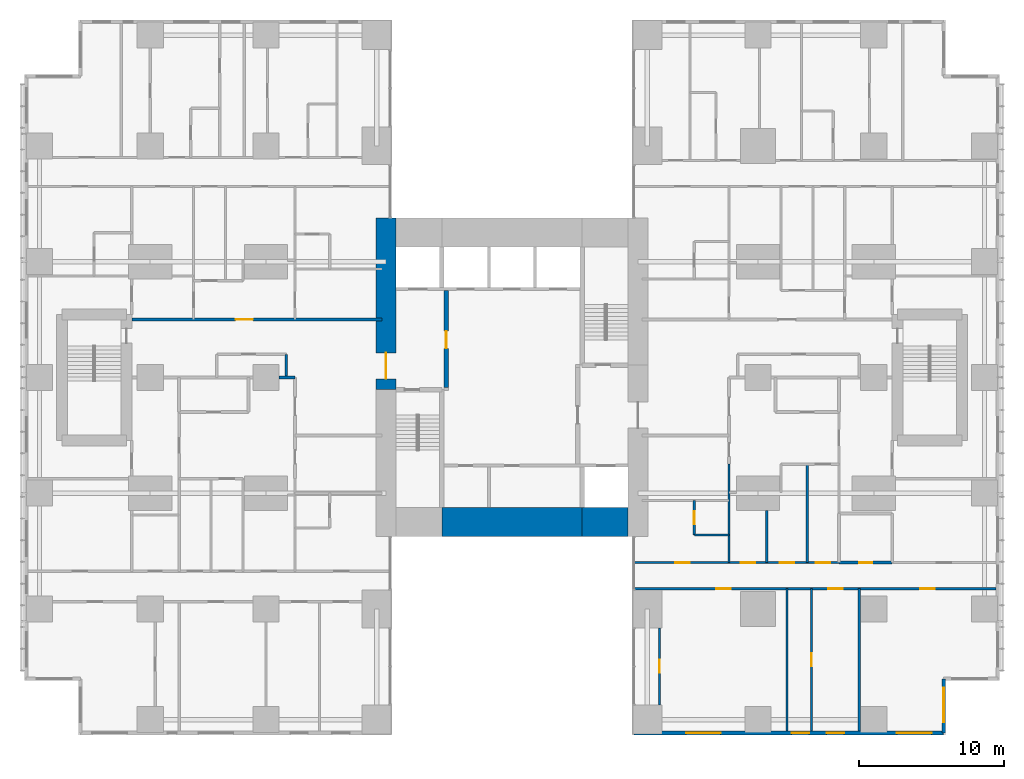
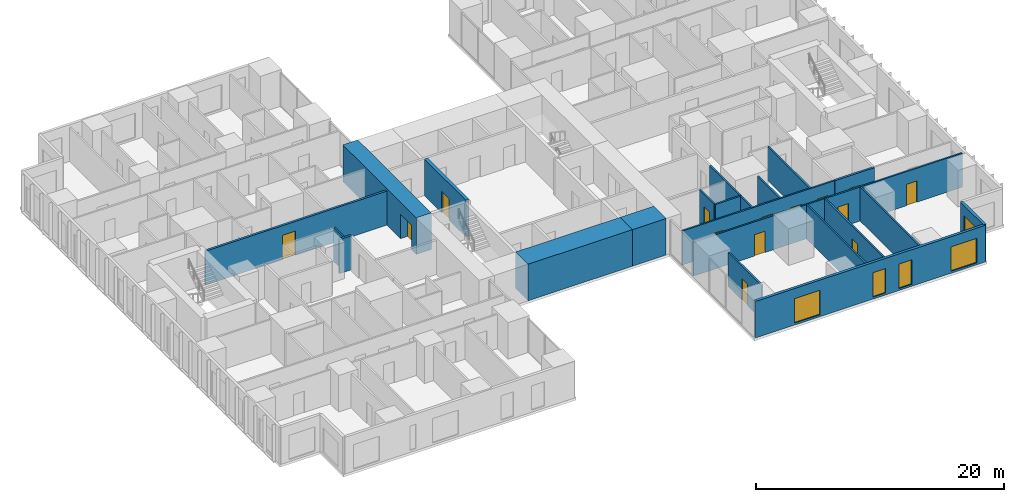
# One storey, part 14 of 20: 21 walls, 14 doors, 5 windows, 19 openings.
"""IFC4 building model written with IfcOpenShell, lengths in metres."""

from ifc_helpers import new_model, si_unit, direction, frame, frame_2d, origin, place, context, subcontext, project, spatial, rectangle, extrude, material, layer, layer_set, type_object, element, fill, save


model = new_model("IFC4")

# Units and contexts
model_context = context("Model", 3, precision=1e-05, world=origin(), true_north=direction((0.0, 1.0)))
body_context = subcontext(model_context, "Body", "Model", "MODEL_VIEW")
ifc_project = project(units=[si_unit("LENGTHUNIT", "METRE"), si_unit("AREAUNIT", "SQUARE_METRE"), si_unit("VOLUMEUNIT", "CUBIC_METRE"), si_unit("PLANEANGLEUNIT", "RADIAN"), si_unit("MASSUNIT", "GRAM", prefix="KILO")], contexts=[model_context])

# Site, building, storey
site_placement = place(None, origin())
site = spatial("IfcSite", under=ifc_project, at=site_placement, CompositionType="ELEMENT")
building_placement = place(site_placement, origin())
building = spatial("IfcBuilding", under=site, at=building_placement, Name="Cleftline Residences", CompositionType="ELEMENT")
storey_placement = place(building_placement, frame((0.0, 0.0, 207.39990234375)))
storey = spatial("IfcBuildingStorey", under=building, at=storey_placement, Name="L54", CompositionType="ELEMENT", Elevation=207.39990234375)

# Wall, opening, door
ifc_material_1 = material(Name="Concrete B70", Category="concrete")
ifc_layer_1 = layer(ifc_material_1, 1.39990234375)
ifc_layer_set_1 = layer_set([ifc_layer_1], Name="CORE WALL 1400")
wall_type_1 = type_object("IfcWallType", Name="CORE WALL 1400", PredefinedType="SHEAR", material=ifc_layer_set_1)
wall_1_placement = place(storey_placement, frame((24.300048828125, 23.14990234375, 0.0), z_axis=(0.0, 0.0, 1.0), x_axis=(0.0, 1.0, 0.0)))
wall_1 = element("IfcWall", 1, at=wall_1_placement, inside=storey, type_object=wall_type_1, Name="Core wall W", PredefinedType="SHEAR", context=body_context, shape_type="SweptSolid", body=[
    extrude(rectangle(XDim=11.85009765625, YDim=1.39990234375, at=frame_2d((5.925048828125, 0.0))), origin(), (0.0, 0.0, 1.0), 3.60009765625),
])
opening_1_placement = place(wall_1_placement, frame((0.75, 0.0, 0.0)))
opening_1 = element("IfcOpeningElement", 2, at=opening_1_placement, cuts=wall_1, Name="Opening D7", PredefinedType="OPENING", context=body_context, shape_type="SweptSolid", body=[
    extrude(rectangle(XDim=1.800048828125, YDim=2.39990234375, at=frame_2d((0.89990234375, 1.199951171875))), frame((0.0, 0.7099609375, 0.0), z_axis=(0.0, -1.0, 0.0), x_axis=(1.0, 0.0, 0.0)), (0.0, 0.0, 1.0), 1.419921875),
])
ifc_material_2 = material(Name="Steel", Category="steel")
door_type_1 = type_object("IfcDoorType", Name="WING DOOR 1800X2400", OperationType="DOUBLE_DOOR_DOUBLE_SWING", PredefinedType="DOOR", material=ifc_material_2)
door_1_placement = place(opening_1_placement, origin())
door_1 = element("IfcDoor", 3, at=door_1_placement, inside=storey, type_object=door_type_1, Name="West wing door", OperationType="DOUBLE_DOOR_DOUBLE_SWING", OverallHeight=2.39990234375, OverallWidth=1.800048828125, PredefinedType="DOOR", context=body_context, shape_type="SweptSolid", body=[
    extrude(rectangle(XDim=1.800048828125, YDim=2.39990234375, at=frame_2d((0.89990234375, 1.199951171875))), frame((0.0, 0.02490234375, 0.0), z_axis=(0.0, -1.0, 0.0), x_axis=(1.0, 0.0, 0.0)), (0.0, 0.0, 1.0), 0.050048828125),
])
fill(opening_1, door_1)

# Walls
ifc_material_3 = material(Name="Concrete B70", Category="concrete")
ifc_layer_2 = layer(ifc_material_3, 2.0)
ifc_layer_set_2 = layer_set([ifc_layer_2], Name="CORE WALL 2000")
wall_type_2 = type_object("IfcWallType", Name="CORE WALL 2000", PredefinedType="SHEAR", material=ifc_layer_set_2)
wall_2_placement = place(storey_placement, frame((28.14990234375, 14.0, 0.0), z_axis=(0.0, 0.0, 1.0), x_axis=(1.0, 0.0, 0.0)))
element("IfcWall", 4, at=wall_2_placement, inside=storey, type_object=wall_type_2, Name="Core wall S2", PredefinedType="SHEAR", context=body_context, shape_type="SweptSolid", body=[
    extrude(rectangle(XDim=9.7001953125, YDim=2.0, at=frame_2d((4.85009765625, 0.0))), origin(), (0.0, 0.0, 1.0), 3.60009765625),
])
wall_3_placement = place(storey_placement, frame((37.85009765625, 14.0, 0.0), z_axis=(0.0, 0.0, 1.0), x_axis=(1.0, 0.0, 0.0)))
element("IfcWall", 5, at=wall_3_placement, inside=storey, type_object=wall_type_2, Name="Core wall S3", PredefinedType="SHEAR", context=body_context, shape_type="SweptSolid", body=[
    extrude(rectangle(XDim=3.14990234375, YDim=2.0, at=frame_2d((1.574951171875, 0.0))), origin(), (0.0, 0.0, 1.0), 3.60009765625),
])

# Wall, openings, windows
ifc_material_4 = material(Name="Rendered reinforced concrete blockwork", Category="masonry")
ifc_layer_3 = layer(ifc_material_4, 0.25)
ifc_layer_set_3 = layer_set([ifc_layer_3], Name="EXTERNAL WALL 250")
wall_type_3 = type_object("IfcWallType", Name="EXTERNAL WALL 250", PredefinedType="SOLIDWALL", material=ifc_layer_set_3)
wall_4_placement = place(storey_placement, frame((41.425048828125, -0.574951171875, 0.0), z_axis=(0.0, 0.0, 1.0), x_axis=(1.0, 0.0, 0.0)))
wall_4 = element("IfcWall", 6, at=wall_4_placement, inside=storey, type_object=wall_type_3, Name="External wall", PredefinedType="SOLIDWALL", context=body_context, shape_type="SweptSolid", body=[
    extrude(rectangle(XDim=21.39990234375, YDim=0.25, at=frame_2d((10.699951171875, 0.0))), origin(), (0.0, 0.0, 1.0), 3.60009765625),
])
opening_2_placement = place(wall_4_placement, frame((3.60009765625, 0.0, 0.199951171875)))
opening_2 = element("IfcOpeningElement", 7, at=opening_2_placement, cuts=wall_4, Name="Opening W9", PredefinedType="OPENING", context=body_context, shape_type="SweptSolid", body=[
    extrude(rectangle(XDim=2.39990234375, YDim=2.39990234375, at=frame_2d((1.199951171875, 1.199951171875))), frame((0.0, 0.135009765625, 0.0), z_axis=(0.0, -1.0, 0.0), x_axis=(1.0, 0.0, 0.0)), (0.0, 0.0, 1.0), 0.27001953125),
])
opening_3_placement = place(wall_4_placement, frame((10.89990234375, 0.0, 0.199951171875)))
opening_3 = element("IfcOpeningElement", 8, at=opening_3_placement, cuts=wall_4, Name="Opening W13", PredefinedType="OPENING", context=body_context, shape_type="SweptSolid", body=[
    extrude(rectangle(XDim=1.199951171875, YDim=2.39990234375, at=frame_2d((0.60009765625, 1.199951171875))), frame((0.0, 0.135009765625, 0.0), z_axis=(0.0, -1.0, 0.0), x_axis=(1.0, 0.0, 0.0)), (0.0, 0.0, 1.0), 0.27001953125),
])
opening_4_placement = place(wall_4_placement, frame((13.324951171875, 0.0, 0.199951171875)))
opening_4 = element("IfcOpeningElement", 9, at=opening_4_placement, cuts=wall_4, Name="Opening W13", PredefinedType="OPENING", context=body_context, shape_type="SweptSolid", body=[
    extrude(rectangle(XDim=1.199951171875, YDim=2.39990234375, at=frame_2d((0.60009765625, 1.199951171875))), frame((0.0, 0.135009765625, 0.0), z_axis=(0.0, -1.0, 0.0), x_axis=(1.0, 0.0, 0.0)), (0.0, 0.0, 1.0), 0.27001953125),
])
opening_5_placement = place(wall_4_placement, frame((18.175048828125, 0.0, 0.199951171875)))
opening_5 = element("IfcOpeningElement", 10, at=opening_5_placement, cuts=wall_4, Name="Opening W9", PredefinedType="OPENING", context=body_context, shape_type="SweptSolid", body=[
    extrude(rectangle(XDim=2.39990234375, YDim=2.39990234375, at=frame_2d((1.199951171875, 1.199951171875))), frame((0.0, 0.135009765625, 0.0), z_axis=(0.0, -1.0, 0.0), x_axis=(1.0, 0.0, 0.0)), (0.0, 0.0, 1.0), 0.27001953125),
])
ifc_material_5 = material(Name="Aluminium frame, clear double glazing", Category="aluminium")
window_type_1 = type_object("IfcWindowType", Name="WINDOW 1200X2400", PartitioningType="DOUBLE_PANEL_VERTICAL", PredefinedType="WINDOW", material=ifc_material_5)
window_1_placement = place(opening_3_placement, origin())
window_1 = element("IfcWindow", 11, at=window_1_placement, inside=storey, type_object=window_type_1, Name="Window", OverallHeight=2.39990234375, OverallWidth=1.199951171875, PartitioningType="SINGLE_PANEL", PredefinedType="WINDOW", context=body_context, shape_type="SweptSolid", body=[
    extrude(rectangle(XDim=1.199951171875, YDim=2.39990234375, at=frame_2d((0.60009765625, 1.199951171875))), frame((0.0, 0.030029296875, 0.0), z_axis=(0.0, -1.0, 0.0), x_axis=(1.0, 0.0, 0.0)), (0.0, 0.0, 1.0), 0.06005859375),
])
fill(opening_3, window_1)
window_2_placement = place(opening_4_placement, origin())
window_2 = element("IfcWindow", 12, at=window_2_placement, inside=storey, type_object=window_type_1, Name="Window", OverallHeight=2.39990234375, OverallWidth=1.199951171875, PartitioningType="SINGLE_PANEL", PredefinedType="WINDOW", context=body_context, shape_type="SweptSolid", body=[
    extrude(rectangle(XDim=1.199951171875, YDim=2.39990234375, at=frame_2d((0.60009765625, 1.199951171875))), frame((0.0, 0.030029296875, 0.0), z_axis=(0.0, -1.0, 0.0), x_axis=(1.0, 0.0, 0.0)), (0.0, 0.0, 1.0), 0.06005859375),
])
fill(opening_4, window_2)
ifc_material_6 = material(Name="Aluminium frame, clear double glazing", Category="aluminium")
window_type_2 = type_object("IfcWindowType", Name="WINDOW 2400X2400", PartitioningType="DOUBLE_PANEL_VERTICAL", PredefinedType="WINDOW", material=ifc_material_6)
window_3_placement = place(opening_2_placement, origin())
window_3 = element("IfcWindow", 13, at=window_3_placement, inside=storey, type_object=window_type_2, Name="Window", OverallHeight=2.39990234375, OverallWidth=2.39990234375, PartitioningType="SINGLE_PANEL", PredefinedType="WINDOW", context=body_context, shape_type="SweptSolid", body=[
    extrude(rectangle(XDim=2.39990234375, YDim=2.39990234375, at=frame_2d((1.199951171875, 1.199951171875))), frame((0.0, 0.030029296875, 0.0), z_axis=(0.0, -1.0, 0.0), x_axis=(1.0, 0.0, 0.0)), (0.0, 0.0, 1.0), 0.06005859375),
])
fill(opening_2, window_3)
window_4_placement = place(opening_5_placement, origin())
window_4 = element("IfcWindow", 14, at=window_4_placement, inside=storey, type_object=window_type_2, Name="Window", OverallHeight=2.39990234375, OverallWidth=2.39990234375, PartitioningType="SINGLE_PANEL", PredefinedType="WINDOW", context=body_context, shape_type="SweptSolid", body=[
    extrude(rectangle(XDim=2.39990234375, YDim=2.39990234375, at=frame_2d((1.199951171875, 1.199951171875))), frame((0.0, 0.030029296875, 0.0), z_axis=(0.0, -1.0, 0.0), x_axis=(1.0, 0.0, 0.0)), (0.0, 0.0, 1.0), 0.06005859375),
])
fill(opening_5, window_4)

# Wall, opening, window
wall_5_placement = place(storey_placement, frame((62.824951171875, -0.574951171875, 0.0), z_axis=(0.0, 0.0, 1.0), x_axis=(0.0, 1.0, 0.0)))
wall_5 = element("IfcWall", 15, at=wall_5_placement, inside=storey, type_object=wall_type_3, Name="External wall", PredefinedType="SOLIDWALL", context=body_context, shape_type="SweptSolid", body=[
    extrude(rectangle(XDim=3.75, YDim=0.25, at=frame_2d((1.875, 0.0))), origin(), (0.0, 0.0, 1.0), 3.60009765625),
])
opening_6_placement = place(wall_5_placement, frame((0.737548828125, 0.0, 0.199951171875)))
opening_6 = element("IfcOpeningElement", 16, at=opening_6_placement, cuts=wall_5, Name="Opening W9", PredefinedType="OPENING", context=body_context, shape_type="SweptSolid", body=[
    extrude(rectangle(XDim=2.39990234375, YDim=2.39990234375, at=frame_2d((1.199951171875, 1.199951171875))), frame((0.0, 0.135009765625, 0.0), z_axis=(0.0, -1.0, 0.0), x_axis=(1.0, 0.0, 0.0)), (0.0, 0.0, 1.0), 0.27001953125),
])
window_5_placement = place(opening_6_placement, origin())
window_5 = element("IfcWindow", 17, at=window_5_placement, inside=storey, type_object=window_type_2, Name="Window", OverallHeight=2.39990234375, OverallWidth=2.39990234375, PartitioningType="SINGLE_PANEL", PredefinedType="WINDOW", context=body_context, shape_type="SweptSolid", body=[
    extrude(rectangle(XDim=2.39990234375, YDim=2.39990234375, at=frame_2d((1.199951171875, 1.199951171875))), frame((0.0, 0.030029296875, 0.0), z_axis=(0.0, -1.0, 0.0), x_axis=(1.0, 0.0, 0.0)), (0.0, 0.0, 1.0), 0.06005859375),
])
fill(opening_6, window_5)

# Wall, opening, door
ifc_material_7 = material(Name="Concrete blockwork, fire rated", Category="masonry")
ifc_layer_4 = layer(ifc_material_7, 0.199951171875)
ifc_layer_set_4 = layer_set([ifc_layer_4], Name="FIRE WALL 200")
wall_type_4 = type_object("IfcWallType", Name="FIRE WALL 200", PredefinedType="PARTITIONING", material=ifc_layer_set_4)
wall_6_placement = place(storey_placement, frame((55.60009765625, 11.199951171875, 0.0), z_axis=(0.0, 0.0, 1.0), x_axis=(1.0, 0.0, 0.0)))
wall_6 = element("IfcWall", 18, at=wall_6_placement, inside=storey, type_object=wall_type_4, Name="Fire separating wall", PredefinedType="PARTITIONING", context=body_context, shape_type="SweptSolid", body=[
    extrude(rectangle(XDim=3.6748046875, YDim=0.199951171875, at=frame_2d((1.83740234375, 0.0))), origin(), (0.0, 0.0, 1.0), 3.35009765625),
])
opening_7_placement = place(wall_6_placement, frame((1.387451171875, 0.0, 0.0)))
opening_7 = element("IfcOpeningElement", 19, at=opening_7_placement, cuts=wall_6, Name="Opening D1F30", PredefinedType="OPENING", context=body_context, shape_type="SweptSolid", body=[
    extrude(rectangle(XDim=0.89990234375, YDim=2.10009765625, at=frame_2d((0.449951171875, 1.050048828125))), frame((0.0, 0.10986328125, 0.0), z_axis=(0.0, -1.0, 0.0), x_axis=(1.0, 0.0, 0.0)), (0.0, 0.0, 1.0), 0.219970703125),
])
ifc_material_8 = material(Name="Timber veneer on solid core", Category="wood")
door_type_2 = type_object("IfcDoorType", Name="DOOR 900X2100 EI 30", OperationType="SINGLE_SWING_LEFT", PredefinedType="DOOR", material=ifc_material_8)
door_2_placement = place(opening_7_placement, origin())
door_2 = element("IfcDoor", 20, at=door_2_placement, inside=storey, type_object=door_type_2, Name="Door to guest wc", OperationType="SINGLE_SWING_LEFT", OverallHeight=2.10009765625, OverallWidth=0.89990234375, PredefinedType="DOOR", context=body_context, shape_type="SweptSolid", body=[
    extrude(rectangle(XDim=0.89990234375, YDim=2.10009765625, at=frame_2d((0.449951171875, 1.050048828125))), frame((0.0, 0.02490234375, 0.0), z_axis=(0.0, -1.0, 0.0), x_axis=(1.0, 0.0, 0.0)), (0.0, 0.0, 1.0), 0.050048828125),
])
fill(opening_7, door_2)

# Wall
wall_7_placement = place(storey_placement, frame((16.89990234375, 24.0, 0.0), z_axis=(0.0, 0.0, 1.0), x_axis=(1.0, 0.0, 0.0)))
element("IfcWall", 21, at=wall_7_placement, inside=storey, type_object=wall_type_4, Name="Fire separating wall", PredefinedType="PARTITIONING", context=body_context, shape_type="SweptSolid", body=[
    extrude(rectangle(XDim=1.10009765625, YDim=0.199951171875, at=frame_2d((0.550048828125, 0.0))), origin(), (0.0, 0.0, 1.0), 3.35009765625),
])

# Wall, opening, door
wall_8_placement = place(storey_placement, frame((6.72509765625, 28.0, 0.0), z_axis=(0.0, 0.0, 1.0), x_axis=(1.0, 0.0, 0.0)))
wall_8 = element("IfcWall", 22, at=wall_8_placement, inside=storey, type_object=wall_type_4, Name="Fire separating wall", PredefinedType="PARTITIONING", context=body_context, shape_type="SweptSolid", body=[
    extrude(rectangle(XDim=17.27490234375, YDim=0.199951171875, at=frame_2d((8.637451171875, 0.0))), origin(), (0.0, 0.0, 1.0), 3.35009765625),
])
opening_8_placement = place(wall_8_placement, frame((7.175048828125, 0.0, 0.0)))
opening_8 = element("IfcOpeningElement", 23, at=opening_8_placement, cuts=wall_8, Name="Opening D4", PredefinedType="OPENING", context=body_context, shape_type="SweptSolid", body=[
    extrude(rectangle(XDim=1.199951171875, YDim=2.39990234375, at=frame_2d((0.60009765625, 1.199951171875))), frame((0.0, 0.10986328125, 0.0), z_axis=(0.0, -1.0, 0.0), x_axis=(1.0, 0.0, 0.0)), (0.0, 0.0, 1.0), 0.219970703125),
])
ifc_material_9 = material(Name="Timber veneer on solid core", Category="wood")
door_type_3 = type_object("IfcDoorType", Name="APARTMENT ENTRANCE DOOR 1200X2400", OperationType="SINGLE_SWING_RIGHT", PredefinedType="DOOR", material=ifc_material_9)
door_3_placement = place(opening_8_placement, origin())
door_3 = element("IfcDoor", 24, at=door_3_placement, inside=storey, type_object=door_type_3, Name="Door to residence entrance (gallery)", OperationType="SINGLE_SWING_RIGHT", OverallHeight=2.39990234375, OverallWidth=1.199951171875, PredefinedType="DOOR", context=body_context, shape_type="SweptSolid", body=[
    extrude(rectangle(XDim=1.199951171875, YDim=2.39990234375, at=frame_2d((0.60009765625, 1.199951171875))), frame((0.0, 0.02490234375, 0.0), z_axis=(0.0, -1.0, 0.0), x_axis=(1.0, 0.0, 0.0)), (0.0, 0.0, 1.0), 0.050048828125),
])
fill(opening_8, door_3)

# Wall, openings, doors
ifc_material_10 = material(Name="Gypsum board on steel studs", Category="steel")
ifc_layer_5 = layer(ifc_material_10, 0.14990234375)
ifc_layer_set_5 = layer_set([ifc_layer_5], Name="PARTITION 150")
wall_type_5 = type_object("IfcWallType", Name="PARTITION 150", PredefinedType="PARTITIONING", material=ifc_layer_set_5)
wall_9_placement = place(storey_placement, frame((41.43896484375, 9.39990234375, 0.0), z_axis=(0.0, 0.0, 1.0), x_axis=(1.0, 0.0, 0.0)))
wall_9 = element("IfcWall", 25, at=wall_9_placement, inside=storey, type_object=wall_type_5, Name="Partition", PredefinedType="PARTITIONING", context=body_context, shape_type="SweptSolid", body=[
    extrude(rectangle(XDim=25.010986328125, YDim=0.14990234375, at=frame_2d((12.50537109375, 0.0))), origin(), (0.0, 0.0, 1.0), 3.35009765625),
])
opening_9_placement = place(wall_9_placement, frame((19.785888671875, 0.0, 0.0)))
opening_9 = element("IfcOpeningElement", 26, at=opening_9_placement, cuts=wall_9, Name="Opening D2", PredefinedType="OPENING", context=body_context, shape_type="SweptSolid", body=[
    extrude(rectangle(XDim=1.0, YDim=2.10009765625, at=frame_2d((0.5, 1.050048828125))), frame((0.0, 0.0849609375, 0.0), z_axis=(0.0, -1.0, 0.0), x_axis=(1.0, 0.0, 0.0)), (0.0, 0.0, 1.0), 0.169921875),
])
opening_10_placement = place(wall_9_placement, frame((13.410888671875, 0.0, 0.0)))
opening_10 = element("IfcOpeningElement", 27, at=opening_10_placement, cuts=wall_9, Name="Opening D2", PredefinedType="OPENING", context=body_context, shape_type="SweptSolid", body=[
    extrude(rectangle(XDim=1.0, YDim=2.10009765625, at=frame_2d((0.5, 1.050048828125))), frame((0.0, 0.0849609375, 0.0), z_axis=(0.0, -1.0, 0.0), x_axis=(1.0, 0.0, 0.0)), (0.0, 0.0, 1.0), 0.169921875),
])
opening_11_placement = place(wall_9_placement, frame((5.660888671875, 0.0, 0.0)))
opening_11 = element("IfcOpeningElement", 28, at=opening_11_placement, cuts=wall_9, Name="Opening D2", PredefinedType="OPENING", context=body_context, shape_type="SweptSolid", body=[
    extrude(rectangle(XDim=1.0, YDim=2.10009765625, at=frame_2d((0.5, 1.050048828125))), frame((0.0, 0.0849609375, 0.0), z_axis=(0.0, -1.0, 0.0), x_axis=(1.0, 0.0, 0.0)), (0.0, 0.0, 1.0), 0.169921875),
])
ifc_material_11 = material(Name="Timber veneer on solid core", Category="wood")
door_type_4 = type_object("IfcDoorType", Name="DOOR 1000X2100", OperationType="SINGLE_SWING_LEFT", PredefinedType="DOOR", material=ifc_material_11)
door_4_placement = place(opening_9_placement, origin())
door_4 = element("IfcDoor", 29, at=door_4_placement, inside=storey, type_object=door_type_4, Name="Door to sea-view dining room", OperationType="SINGLE_SWING_LEFT", OverallHeight=2.10009765625, OverallWidth=1.0, PredefinedType="DOOR", context=body_context, shape_type="SweptSolid", body=[
    extrude(rectangle(XDim=1.0, YDim=2.10009765625, at=frame_2d((0.5, 1.050048828125))), frame((0.0, 0.02490234375, 0.0), z_axis=(0.0, -1.0, 0.0), x_axis=(1.0, 0.0, 0.0)), (0.0, 0.0, 1.0), 0.050048828125),
])
fill(opening_9, door_4)
door_5_placement = place(opening_10_placement, origin())
door_5 = element("IfcDoor", 30, at=door_5_placement, inside=storey, type_object=door_type_4, Name="Door to show kitchen", OperationType="SINGLE_SWING_LEFT", OverallHeight=2.10009765625, OverallWidth=1.0, PredefinedType="DOOR", context=body_context, shape_type="SweptSolid", body=[
    extrude(rectangle(XDim=1.0, YDim=2.10009765625, at=frame_2d((0.5, 1.050048828125))), frame((0.0, 0.02490234375, 0.0), z_axis=(0.0, -1.0, 0.0), x_axis=(1.0, 0.0, 0.0)), (0.0, 0.0, 1.0), 0.050048828125),
])
fill(opening_10, door_5)
door_6_placement = place(opening_11_placement, origin())
door_6 = element("IfcDoor", 31, at=door_6_placement, inside=storey, type_object=door_type_4, Name="Door to family room", OperationType="SINGLE_SWING_RIGHT", OverallHeight=2.10009765625, OverallWidth=1.0, PredefinedType="DOOR", context=body_context, shape_type="SweptSolid", body=[
    extrude(rectangle(XDim=1.0, YDim=2.10009765625, at=frame_2d((0.5, 1.050048828125))), frame((0.0, 0.02490234375, 0.0), z_axis=(0.0, -1.0, 0.0), x_axis=(1.0, 0.0, 0.0)), (0.0, 0.0, 1.0), 0.050048828125),
])
fill(opening_11, door_6)

wall_10_placement = place(storey_placement, frame((41.43896484375, 11.199951171875, 0.0), z_axis=(0.0, 0.0, 1.0), x_axis=(1.0, 0.0, 0.0)))
wall_10 = element("IfcWall", 32, at=wall_10_placement, inside=storey, type_object=wall_type_5, Name="Partition", PredefinedType="PARTITIONING", context=body_context, shape_type="SweptSolid", body=[
    extrude(rectangle(XDim=14.1611328125, YDim=0.14990234375, at=frame_2d((7.08056640625, 0.0))), origin(), (0.0, 0.0, 1.0), 3.35009765625),
])
opening_12_placement = place(wall_10_placement, frame((12.56103515625, 0.0, 0.0)))
opening_12 = element("IfcOpeningElement", 33, at=opening_12_placement, cuts=wall_10, Name="Opening D2F30", PredefinedType="OPENING", context=body_context, shape_type="SweptSolid", body=[
    extrude(rectangle(XDim=1.0, YDim=2.10009765625, at=frame_2d((0.5, 1.050048828125))), frame((0.0, 0.0849609375, 0.0), z_axis=(0.0, -1.0, 0.0), x_axis=(1.0, 0.0, 0.0)), (0.0, 0.0, 1.0), 0.169921875),
])
opening_13_placement = place(wall_10_placement, frame((10.06103515625, 0.0, 0.0)))
opening_13 = element("IfcOpeningElement", 34, at=opening_13_placement, cuts=wall_10, Name="Opening D2F30", PredefinedType="OPENING", context=body_context, shape_type="SweptSolid", body=[
    extrude(rectangle(XDim=1.0, YDim=2.10009765625, at=frame_2d((0.5, 1.050048828125))), frame((0.0, 0.0849609375, 0.0), z_axis=(0.0, -1.0, 0.0), x_axis=(1.0, 0.0, 0.0)), (0.0, 0.0, 1.0), 0.169921875),
])
opening_14_placement = place(wall_10_placement, frame((7.361083984375, 0.0, 0.0)))
opening_14 = element("IfcOpeningElement", 35, at=opening_14_placement, cuts=wall_10, Name="Opening D2F30", PredefinedType="OPENING", context=body_context, shape_type="SweptSolid", body=[
    extrude(rectangle(XDim=1.0, YDim=2.10009765625, at=frame_2d((0.5, 1.050048828125))), frame((0.0, 0.0849609375, 0.0), z_axis=(0.0, -1.0, 0.0), x_axis=(1.0, 0.0, 0.0)), (0.0, 0.0, 1.0), 0.169921875),
])
opening_15_placement = place(wall_10_placement, frame((2.8359375, 0.0, 0.0)))
opening_15 = element("IfcOpeningElement", 36, at=opening_15_placement, cuts=wall_10, Name="Opening D2F30", PredefinedType="OPENING", context=body_context, shape_type="SweptSolid", body=[
    extrude(rectangle(XDim=1.0, YDim=2.10009765625, at=frame_2d((0.5, 1.050048828125))), frame((0.0, 0.0849609375, 0.0), z_axis=(0.0, -1.0, 0.0), x_axis=(1.0, 0.0, 0.0)), (0.0, 0.0, 1.0), 0.169921875),
])
ifc_material_12 = material(Name="Timber veneer on solid core", Category="wood")
door_type_5 = type_object("IfcDoorType", Name="DOOR 1000X2100 EI 30", OperationType="SINGLE_SWING_LEFT", PredefinedType="DOOR", material=ifc_material_12)
door_7_placement = place(opening_12_placement, origin())
door_7 = element("IfcDoor", 37, at=door_7_placement, inside=storey, type_object=door_type_5, Name="Door to residence hall (gallery)", OperationType="SINGLE_SWING_LEFT", OverallHeight=2.10009765625, OverallWidth=1.0, PredefinedType="DOOR", context=body_context, shape_type="SweptSolid", body=[
    extrude(rectangle(XDim=1.0, YDim=2.10009765625, at=frame_2d((0.5, 1.050048828125))), frame((0.0, 0.02490234375, 0.0), z_axis=(0.0, -1.0, 0.0), x_axis=(1.0, 0.0, 0.0)), (0.0, 0.0, 1.0), 0.050048828125),
])
fill(opening_12, door_7)
door_8_placement = place(opening_13_placement, origin())
door_8 = element("IfcDoor", 38, at=door_8_placement, inside=storey, type_object=door_type_5, Name="Door to wet kitchen", OperationType="SINGLE_SWING_LEFT", OverallHeight=2.10009765625, OverallWidth=1.0, PredefinedType="DOOR", context=body_context, shape_type="SweptSolid", body=[
    extrude(rectangle(XDim=1.0, YDim=2.10009765625, at=frame_2d((0.5, 1.050048828125))), frame((0.0, 0.02490234375, 0.0), z_axis=(0.0, -1.0, 0.0), x_axis=(1.0, 0.0, 0.0)), (0.0, 0.0, 1.0), 0.050048828125),
])
fill(opening_13, door_8)
door_9_placement = place(opening_14_placement, origin())
door_9 = element("IfcDoor", 39, at=door_9_placement, inside=storey, type_object=door_type_5, Name="Door to library", OperationType="SINGLE_SWING_LEFT", OverallHeight=2.10009765625, OverallWidth=1.0, PredefinedType="DOOR", context=body_context, shape_type="SweptSolid", body=[
    extrude(rectangle(XDim=1.0, YDim=2.10009765625, at=frame_2d((0.5, 1.050048828125))), frame((0.0, 0.02490234375, 0.0), z_axis=(0.0, -1.0, 0.0), x_axis=(1.0, 0.0, 0.0)), (0.0, 0.0, 1.0), 0.050048828125),
])
fill(opening_14, door_9)
door_10_placement = place(opening_15_placement, origin())
door_10 = element("IfcDoor", 40, at=door_10_placement, inside=storey, type_object=door_type_5, Name="Door to staff bedroom", OperationType="SINGLE_SWING_RIGHT", OverallHeight=2.10009765625, OverallWidth=1.0, PredefinedType="DOOR", context=body_context, shape_type="SweptSolid", body=[
    extrude(rectangle(XDim=1.0, YDim=2.10009765625, at=frame_2d((0.5, 1.050048828125))), frame((0.0, 0.02490234375, 0.0), z_axis=(0.0, -1.0, 0.0), x_axis=(1.0, 0.0, 0.0)), (0.0, 0.0, 1.0), 0.050048828125),
])
fill(opening_15, door_10)

# Walls
wall_11_placement = place(storey_placement, frame((45.60009765625, 13.10009765625, 0.0), z_axis=(0.0, 0.0, 1.0), x_axis=(1.0, 0.0, 0.0)))
element("IfcWall", 41, at=wall_11_placement, inside=storey, type_object=wall_type_5, Name="Partition", PredefinedType="PARTITIONING", context=body_context, shape_type="SweptSolid", body=[
    extrude(rectangle(XDim=2.39990234375, YDim=0.14990234375, at=frame_2d((1.199951171875, 0.0))), origin(), (0.0, 0.0, 1.0), 3.35009765625),
])
wall_12_placement = place(storey_placement, frame((17.39990234375, 24.0, 0.0), z_axis=(0.0, 0.0, 1.0), x_axis=(0.0, 1.0, 0.0)))
element("IfcWall", 42, at=wall_12_placement, inside=storey, type_object=wall_type_5, Name="Partition", PredefinedType="PARTITIONING", context=body_context, shape_type="SweptSolid", body=[
    extrude(rectangle(XDim=1.60009765625, YDim=0.14990234375, at=frame_2d((0.800048828125, 0.0))), origin(), (0.0, 0.0, 1.0), 3.35009765625),
])

# Wall, opening, door
wall_13_placement = place(storey_placement, frame((43.199951171875, 1.35009765625, 0.0), z_axis=(0.0, 0.0, 1.0), x_axis=(0.0, 1.0, 0.0)))
wall_13 = element("IfcWall", 43, at=wall_13_placement, inside=storey, type_object=wall_type_5, Name="Partition", PredefinedType="PARTITIONING", context=body_context, shape_type="SweptSolid", body=[
    extrude(rectangle(XDim=5.349853515625, YDim=0.14990234375, at=frame_2d((2.6748046875, 0.0))), origin(), (0.0, 0.0, 1.0), 3.35009765625),
])
opening_16_placement = place(wall_13_placement, frame((2.22509765625, 0.0, 0.0)))
opening_16 = element("IfcOpeningElement", 44, at=opening_16_placement, cuts=wall_13, Name="Opening D1", PredefinedType="OPENING", context=body_context, shape_type="SweptSolid", body=[
    extrude(rectangle(XDim=0.89990234375, YDim=2.10009765625, at=frame_2d((0.449951171875, 1.050048828125))), frame((0.0, 0.0849609375, 0.0), z_axis=(0.0, -1.0, 0.0), x_axis=(1.0, 0.0, 0.0)), (0.0, 0.0, 1.0), 0.169921875),
])
ifc_material_13 = material(Name="Timber veneer on solid core", Category="wood")
door_type_6 = type_object("IfcDoorType", Name="DOOR 900X2100", OperationType="SINGLE_SWING_LEFT", PredefinedType="DOOR", material=ifc_material_13)
door_11_placement = place(opening_16_placement, origin())
door_11 = element("IfcDoor", 45, at=door_11_placement, inside=storey, type_object=door_type_6, Name="Door to library", OperationType="SINGLE_SWING_LEFT", OverallHeight=2.10009765625, OverallWidth=0.89990234375, PredefinedType="DOOR", context=body_context, shape_type="SweptSolid", body=[
    extrude(rectangle(XDim=0.89990234375, YDim=2.10009765625, at=frame_2d((0.449951171875, 1.050048828125))), frame((0.0, 0.02490234375, 0.0), z_axis=(0.0, -1.0, 0.0), x_axis=(1.0, 0.0, 0.0)), (0.0, 0.0, 1.0), 0.050048828125),
])
fill(opening_16, door_11)

wall_14_placement = place(storey_placement, frame((45.60009765625, 13.10009765625, 0.0), z_axis=(0.0, 0.0, 1.0), x_axis=(0.0, 1.0, 0.0)))
wall_14 = element("IfcWall", 46, at=wall_14_placement, inside=storey, type_object=wall_type_5, Name="Partition", PredefinedType="PARTITIONING", context=body_context, shape_type="SweptSolid", body=[
    extrude(rectangle(XDim=2.39990234375, YDim=0.14990234375, at=frame_2d((1.199951171875, 0.0))), origin(), (0.0, 0.0, 1.0), 3.35009765625),
])
opening_17_placement = place(wall_14_placement, frame((0.75, 0.0, 0.0)))
opening_17 = element("IfcOpeningElement", 47, at=opening_17_placement, cuts=wall_14, Name="Opening D1", PredefinedType="OPENING", context=body_context, shape_type="SweptSolid", body=[
    extrude(rectangle(XDim=0.89990234375, YDim=2.10009765625, at=frame_2d((0.449951171875, 1.050048828125))), frame((0.0, 0.0849609375, 0.0), z_axis=(0.0, -1.0, 0.0), x_axis=(1.0, 0.0, 0.0)), (0.0, 0.0, 1.0), 0.169921875),
])
door_12_placement = place(opening_17_placement, origin())
door_12 = element("IfcDoor", 48, at=door_12_placement, inside=storey, type_object=door_type_6, Name="Door to staff shower room", OperationType="SINGLE_SWING_LEFT", OverallHeight=2.10009765625, OverallWidth=0.89990234375, PredefinedType="DOOR", context=body_context, shape_type="SweptSolid", body=[
    extrude(rectangle(XDim=0.89990234375, YDim=2.10009765625, at=frame_2d((0.449951171875, 1.050048828125))), frame((0.0, 0.02490234375, 0.0), z_axis=(0.0, -1.0, 0.0), x_axis=(1.0, 0.0, 0.0)), (0.0, 0.0, 1.0), 0.050048828125),
])
fill(opening_17, door_12)

# Walls
wall_15_placement = place(storey_placement, frame((48.0, 11.199951171875, 0.0), z_axis=(0.0, 0.0, 1.0), x_axis=(0.0, 1.0, 0.0)))
element("IfcWall", 49, at=wall_15_placement, inside=storey, type_object=wall_type_5, Name="Partition", PredefinedType="PARTITIONING", context=body_context, shape_type="SweptSolid", body=[
    extrude(rectangle(XDim=6.800048828125, YDim=0.14990234375, at=frame_2d((3.39990234375, 0.0))), origin(), (0.0, 0.0, 1.0), 3.35009765625),
])
wall_16_placement = place(storey_placement, frame((50.60009765625, 11.199951171875, 0.0), z_axis=(0.0, 0.0, 1.0), x_axis=(0.0, 1.0, 0.0)))
element("IfcWall", 50, at=wall_16_placement, inside=storey, type_object=wall_type_5, Name="Partition", PredefinedType="PARTITIONING", context=body_context, shape_type="SweptSolid", body=[
    extrude(rectangle(XDim=3.60009765625, YDim=0.14990234375, at=frame_2d((1.800048828125, 0.0))), origin(), (0.0, 0.0, 1.0), 3.35009765625),
])
wall_17_placement = place(storey_placement, frame((52.0, -0.449951171875, 0.0), z_axis=(0.0, 0.0, 1.0), x_axis=(0.0, 1.0, 0.0)))
element("IfcWall", 51, at=wall_17_placement, inside=storey, type_object=wall_type_5, Name="Partition", PredefinedType="PARTITIONING", context=body_context, shape_type="SweptSolid", body=[
    extrude(rectangle(XDim=9.849853515625, YDim=0.14990234375, at=frame_2d((4.9248046875, 0.0))), origin(), (0.0, 0.0, 1.0), 3.35009765625),
])
wall_18_placement = place(storey_placement, frame((53.39990234375, 11.199951171875, 0.0), z_axis=(0.0, 0.0, 1.0), x_axis=(0.0, 1.0, 0.0)))
element("IfcWall", 52, at=wall_18_placement, inside=storey, type_object=wall_type_5, Name="Partition", PredefinedType="PARTITIONING", context=body_context, shape_type="SweptSolid", body=[
    extrude(rectangle(XDim=6.800048828125, YDim=0.14990234375, at=frame_2d((3.39990234375, 0.0))), origin(), (0.0, 0.0, 1.0), 3.35009765625),
])

# Wall, opening, door
wall_19_placement = place(storey_placement, frame((53.699951171875, -0.449951171875, 0.0), z_axis=(0.0, 0.0, 1.0), x_axis=(0.0, 1.0, 0.0)))
wall_19 = element("IfcWall", 53, at=wall_19_placement, inside=storey, type_object=wall_type_5, Name="Partition", PredefinedType="PARTITIONING", context=body_context, shape_type="SweptSolid", body=[
    extrude(rectangle(XDim=9.849853515625, YDim=0.14990234375, at=frame_2d((4.9248046875, 0.0))), origin(), (0.0, 0.0, 1.0), 3.35009765625),
])
opening_18_placement = place(wall_19_placement, frame((4.47509765625, 0.0, 0.0)))
opening_18 = element("IfcOpeningElement", 54, at=opening_18_placement, cuts=wall_19, Name="Opening D1", PredefinedType="OPENING", context=body_context, shape_type="SweptSolid", body=[
    extrude(rectangle(XDim=0.89990234375, YDim=2.10009765625, at=frame_2d((0.449951171875, 1.050048828125))), frame((0.0, 0.0849609375, 0.0), z_axis=(0.0, -1.0, 0.0), x_axis=(1.0, 0.0, 0.0)), (0.0, 0.0, 1.0), 0.169921875),
])
door_13_placement = place(opening_18_placement, origin())
door_13 = element("IfcDoor", 55, at=door_13_placement, inside=storey, type_object=door_type_6, Name="Door to larder", OperationType="SINGLE_SWING_LEFT", OverallHeight=2.10009765625, OverallWidth=0.89990234375, PredefinedType="DOOR", context=body_context, shape_type="SweptSolid", body=[
    extrude(rectangle(XDim=0.89990234375, YDim=2.10009765625, at=frame_2d((0.449951171875, 1.050048828125))), frame((0.0, 0.02490234375, 0.0), z_axis=(0.0, -1.0, 0.0), x_axis=(1.0, 0.0, 0.0)), (0.0, 0.0, 1.0), 0.050048828125),
])
fill(opening_18, door_13)

# Wall
wall_20_placement = place(storey_placement, frame((57.0, -0.449951171875, 0.0), z_axis=(0.0, 0.0, 1.0), x_axis=(0.0, 1.0, 0.0)))
element("IfcWall", 56, at=wall_20_placement, inside=storey, type_object=wall_type_5, Name="Partition", PredefinedType="PARTITIONING", context=body_context, shape_type="SweptSolid", body=[
    extrude(rectangle(XDim=9.849853515625, YDim=0.14990234375, at=frame_2d((4.9248046875, 0.0))), origin(), (0.0, 0.0, 1.0), 3.35009765625),
])

# Wall, opening, door
ifc_material_14 = material(Name="Concrete blockwork, fire rated", Category="masonry")
ifc_layer_6 = layer(ifc_material_14, 0.300048828125)
ifc_layer_set_6 = layer_set([ifc_layer_6], Name="STAIR LOBBY WALL 300")
wall_type_6 = type_object("IfcWallType", Name="STAIR LOBBY WALL 300", PredefinedType="PARTITIONING", material=ifc_layer_set_6)
wall_21_placement = place(storey_placement, frame((28.449951171875, 23.300048828125, 0.0), z_axis=(0.0, 0.0, 1.0), x_axis=(0.0, 1.0, 0.0)))
wall_21 = element("IfcWall", 57, at=wall_21_placement, inside=storey, type_object=wall_type_6, Name="Stair and lobby wall FA-E", PredefinedType="PARTITIONING", context=body_context, shape_type="SweptSolid", body=[
    extrude(rectangle(XDim=6.699951171875, YDim=0.300048828125, at=frame_2d((3.35009765625, 0.0))), origin(), (0.0, 0.0, 1.0), 3.60009765625),
])
opening_19_placement = place(wall_21_placement, frame((2.699951171875, 0.0, 0.0)))
opening_19 = element("IfcOpeningElement", 58, at=opening_19_placement, cuts=wall_21, Name="Opening D6", PredefinedType="OPENING", context=body_context, shape_type="SweptSolid", body=[
    extrude(rectangle(XDim=1.199951171875, YDim=2.10009765625, at=frame_2d((0.60009765625, 1.050048828125))), frame((0.0, 0.159912109375, 0.0), z_axis=(0.0, -1.0, 0.0), x_axis=(1.0, 0.0, 0.0)), (0.0, 0.0, 1.0), 0.320068359375),
])
ifc_material_15 = material(Name="Steel", Category="steel")
door_type_7 = type_object("IfcDoorType", Name="LOBBY DOOR 1200X2100", OperationType="SINGLE_SWING_RIGHT", PredefinedType="DOOR", material=ifc_material_15)
door_14_placement = place(opening_19_placement, origin())
door_14 = element("IfcDoor", 59, at=door_14_placement, inside=storey, type_object=door_type_7, Name="Firefighting lobby A door", OperationType="SINGLE_SWING_RIGHT", OverallHeight=2.10009765625, OverallWidth=1.199951171875, PredefinedType="DOOR", context=body_context, shape_type="SweptSolid", body=[
    extrude(rectangle(XDim=1.199951171875, YDim=2.10009765625, at=frame_2d((0.60009765625, 1.050048828125))), frame((0.0, 0.02490234375, 0.0), z_axis=(0.0, -1.0, 0.0), x_axis=(1.0, 0.0, 0.0)), (0.0, 0.0, 1.0), 0.050048828125),
])
fill(opening_19, door_14)

save(model, "model.ifc")
